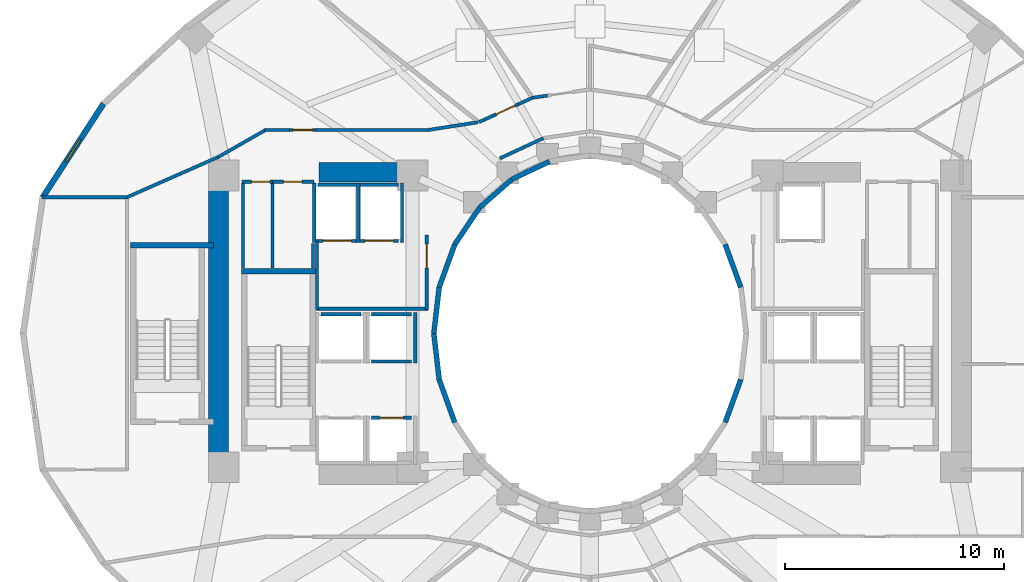
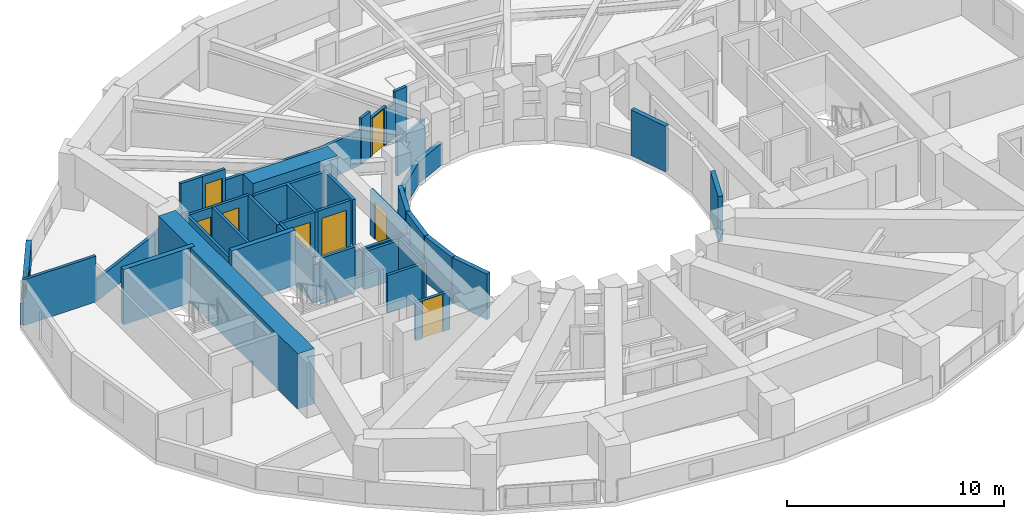
# One storey, part 10 of 16: 46 walls, 8 doors, 1 window, 9 openings.
"""IFC4 building model written with IfcOpenShell, lengths in metres."""

from ifc_helpers import new_model, si_unit, direction, frame, frame_2d, origin, place, context, subcontext, project, spatial, rectangle, extrude, material, layer, layer_set, type_object, element, fill, save


model = new_model("IFC4")

# Units and contexts
model_context = context("Model", 3, precision=1e-05, world=origin(), true_north=direction((0.0, 1.0)))
body_context = subcontext(model_context, "Body", "Model", "MODEL_VIEW")
ifc_project = project(units=[si_unit("LENGTHUNIT", "METRE"), si_unit("AREAUNIT", "SQUARE_METRE"), si_unit("VOLUMEUNIT", "CUBIC_METRE"), si_unit("PLANEANGLEUNIT", "RADIAN"), si_unit("MASSUNIT", "GRAM", prefix="KILO")], contexts=[model_context])

# Site, building, storey
site_placement = place(None, origin())
site = spatial("IfcSite", under=ifc_project, at=site_placement, CompositionType="ELEMENT")
building_placement = place(site_placement, origin())
building = spatial("IfcBuilding", under=site, at=building_placement, Name="Solvane Sanctuary Tower", CompositionType="ELEMENT")
storey_placement = place(building_placement, frame((0.0, 0.0, 33.800048828125)))
storey = spatial("IfcBuildingStorey", under=building, at=storey_placement, Name="L09", CompositionType="ELEMENT", Elevation=33.800048828125)

# Walls
ifc_material_1 = material(Name="Concrete C70/85", Category="concrete")
ifc_layer_1 = layer(ifc_material_1, 0.89990234375, Name="Concrete C70/85")
ifc_layer_set_1 = layer_set([ifc_layer_1], Name="Concrete C70/85")
wall_type_1 = type_object("IfcWallType", Name="Wall W-CORE-900", PredefinedType="SHEAR", material=ifc_layer_set_1)
wall_1_placement = place(storey_placement, frame((15.050048828125, 17.050048828125, 0.0), z_axis=(0.0, 0.0, 1.0), x_axis=(0.0, 1.0, 0.0)))
element("IfcWall", 1, at=wall_1_placement, inside=storey, type_object=wall_type_1, Name="L09 Core Shear Wall WC-W", PredefinedType="SHEAR", context=body_context, shape_type="SweptSolid", body=[
    extrude(rectangle(XDim=12.800048828125, YDim=0.89990234375, at=frame_2d((6.39990234375, 0.0))), origin(), (0.0, 0.0, 1.0), 3.099853515625),
])
wall_2_placement = place(storey_placement, frame((19.64990234375, 30.35009765625, 0.0), z_axis=(0.0, 0.0, 1.0), x_axis=(1.0, 0.0, 0.0)))
element("IfcWall", 2, at=wall_2_placement, inside=storey, type_object=wall_type_1, Name="L09 Core Shear Wall WC-N", PredefinedType="SHEAR", context=body_context, shape_type="SweptSolid", body=[
    extrude(rectangle(XDim=4.5, YDim=0.89990234375, at=frame_2d((2.25, 0.0))), origin(), (0.0, 0.0, 1.0), 3.099853515625),
])
ifc_material_2 = material(Name="Acoustic Gypsum Partition Board")
ifc_layer_2 = layer(ifc_material_2, 0.14990234375, Name="Acoustic Gypsum Partition Board")
ifc_layer_set_2 = layer_set([ifc_layer_2], Name="Acoustic Gypsum Partition Board")
wall_type_2 = type_object("IfcWallType", Name="Wall W-CORR-150", PredefinedType="PARTITIONING", material=ifc_layer_set_2)
wall_3_placement = place(storey_placement, frame((19.52001953125, 24.1201171875, 0.0), z_axis=(0.0, 0.0, 1.0), x_axis=(1.0, 0.0, 0.0)))
element("IfcWall", 3, at=wall_3_placement, inside=storey, type_object=wall_type_2, Name="L09 West Firefighting Lobby South Wall", PredefinedType="PARTITIONING", context=body_context, shape_type="SweptSolid", body=[
    extrude(rectangle(XDim=5.080078125, YDim=0.14990234375, at=frame_2d((2.5400390625, 0.0))), origin(), (0.0, 0.0, 1.0), 2.119873046875),
])
wall_4_placement = place(storey_placement, frame((19.550048828125, 24.080078125, 0.0), z_axis=(0.0, 0.0, 1.0), x_axis=(0.0, 1.0, 0.0)))
element("IfcWall", 4, at=wall_4_placement, inside=storey, type_object=wall_type_2, Name="L09 West Firefighting Lobby West Wall", PredefinedType="PARTITIONING", context=body_context, shape_type="SweptSolid", body=[
    extrude(rectangle(XDim=3.199951171875, YDim=0.14990234375, at=frame_2d((1.60009765625, 0.0))), origin(), (0.0, 0.0, 1.0), 2.574951171875),
])

# Wall, opening, door
wall_5_placement = place(storey_placement, frame((24.550048828125, 24.080078125, 0.0), z_axis=(0.0, 0.0, 1.0), x_axis=(0.0, 1.0, 0.0)))
wall_5 = element("IfcWall", 5, at=wall_5_placement, inside=storey, type_object=wall_type_2, Name="L09 West Firefighting Lobby East Wall", PredefinedType="PARTITIONING", context=body_context, shape_type="SweptSolid", body=[
    extrude(rectangle(XDim=3.39990234375, YDim=0.14990234375, at=frame_2d((1.699951171875, 0.0))), origin(), (0.0, 0.0, 1.0), 2.574951171875),
])
opening_1_placement = place(wall_5_placement, frame((1.893798828125, 0.0, 0.0)))
opening_1 = element("IfcOpeningElement", 6, at=opening_1_placement, cuts=wall_5, Name="Opening D-L09-04", PredefinedType="OPENING", context=body_context, shape_type="SweptSolid", body=[
    extrude(rectangle(XDim=1.10009765625, YDim=2.10009765625, at=frame_2d((0.550048828125, 1.050048828125))), frame((0.0, 0.0849609375, 0.0), z_axis=(0.0, -1.0, 0.0), x_axis=(1.0, 0.0, 0.0)), (0.0, 0.0, 1.0), 0.169921875),
])
ifc_material_3 = material(Name="Architectural Stainless Steel 316", Category="steel")
door_type_1 = type_object("IfcDoorType", Name="Door D-FFL", OperationType="NOTDEFINED", PredefinedType="DOOR", material=ifc_material_3)
door_1_placement = place(opening_1_placement, origin())
door_1 = element("IfcDoor", 7, at=door_1_placement, inside=storey, type_object=door_type_1, Name="L09 West Firefighting Lobby Fire Door", OperationType="SINGLE_SWING_RIGHT", OverallHeight=2.10009765625, OverallWidth=1.10009765625, PredefinedType="DOOR", context=body_context, shape_type="SweptSolid", body=[
    extrude(rectangle(XDim=1.10009765625, YDim=2.10009765625, at=frame_2d((0.550048828125, 1.050048828125))), frame((0.0, 0.02490234375, 0.0), z_axis=(0.0, -1.0, 0.0), x_axis=(1.0, 0.0, 0.0)), (0.0, 0.0, 1.0), 0.050048828125),
])
fill(opening_1, door_1)

# Walls
wall_6_placement = place(storey_placement, frame((29.87255859375, 31.90576171875, 0.0), z_axis=(0.0, 0.0, 1.0), x_axis=(-0.906943449489, -0.421252393975, 0.0)))
element("IfcWall", 8, at=wall_6_placement, inside=storey, type_object=wall_type_2, Name="L09 Light-Well Corridor Rim Wall N4", PredefinedType="PARTITIONING", context=body_context, shape_type="SweptSolid", body=[
    extrude(rectangle(XDim=2.18603515625, YDim=0.14990234375, at=frame_2d((1.093017578125, 0.0))), origin(), (0.0, 0.0, 1.0), 1.95703125),
])
wall_7_placement = place(storey_placement, frame((7.013671875, 29.211669921875, 0.0), z_axis=(0.0, 0.0, 1.0), x_axis=(1.0, 0.0, 0.0)))
element("IfcWall", 9, at=wall_7_placement, inside=storey, type_object=wall_type_2, Name="L09 West Shoulder North Wall", PredefinedType="PARTITIONING", context=body_context, shape_type="SweptSolid", body=[
    extrude(rectangle(XDim=3.8662109375, YDim=0.14990234375, at=frame_2d((1.93310546875, 0.0))), origin(), (0.0, 0.0, 1.0), 2.574951171875),
])
wall_8_placement = place(storey_placement, frame((10.843505859375, 29.195556640625, 0.0), z_axis=(0.0, 0.0, 1.0), x_axis=(0.91502756289, 0.403391322604, 0.0)))
element("IfcWall", 10, at=wall_8_placement, inside=storey, type_object=wall_type_2, Name="L09 NW Corner Closer 1", PredefinedType="PARTITIONING", context=body_context, shape_type="SweptSolid", body=[
    extrude(rectangle(XDim=4.63720703125, YDim=0.14990234375, at=frame_2d((2.318603515625, 0.0))), origin(), (0.0, 0.0, 1.0), 1.219970703125),
])
wall_9_placement = place(storey_placement, frame((26.880615234375, 32.630615234375, 0.0), z_axis=(0.0, 0.0, 1.0), x_axis=(-0.988184633586, -0.153268163508, 0.0)))
element("IfcWall", 11, at=wall_9_placement, inside=storey, type_object=wall_type_2, Name="L09 NW Corner Throat Wall", PredefinedType="PARTITIONING", context=body_context, shape_type="SweptSolid", body=[
    extrude(rectangle(XDim=2.317626953125, YDim=0.14990234375, at=frame_2d((1.15869140625, 0.0))), origin(), (0.0, 0.0, 1.0), 1.95703125),
])
wall_10_placement = place(storey_placement, frame((17.14990234375, 32.280029296875, 0.0), z_axis=(0.0, 0.0, 1.0), x_axis=(1.0, 0.0, 0.0)))
element("IfcWall", 12, at=wall_10_placement, inside=storey, type_object=wall_type_2, Name="L09 NW Corner Corridor Wall", PredefinedType="PARTITIONING", context=body_context, shape_type="SweptSolid", body=[
    extrude(rectangle(XDim=1.14013671875, YDim=0.14990234375, at=frame_2d((0.570068359375, 0.0))), origin(), (0.0, 0.0, 1.0), 2.574951171875),
])

# Wall, opening, door
wall_11_placement = place(storey_placement, frame((18.2900390625, 32.280029296875, 0.0), z_axis=(0.0, 0.0, 1.0), x_axis=(1.0, 0.0, 0.0)))
wall_11 = element("IfcWall", 13, at=wall_11_placement, inside=storey, type_object=wall_type_2, Name="L09 NW Corner Corridor Wall", PredefinedType="PARTITIONING", context=body_context, shape_type="SweptSolid", body=[
    extrude(rectangle(XDim=1.219970703125, YDim=0.14990234375, at=frame_2d((0.60986328125, 0.0))), origin(), (0.0, 0.0, 1.0), 2.574951171875),
])
opening_2_placement = place(wall_11_placement, frame((0.159912109375, 0.0, 0.0)))
opening_2 = element("IfcOpeningElement", 14, at=opening_2_placement, cuts=wall_11, Name="Opening D-L09-15", PredefinedType="OPENING", context=body_context, shape_type="SweptSolid", body=[
    extrude(rectangle(XDim=0.89990234375, YDim=2.10009765625, at=frame_2d((0.449951171875, 1.050048828125))), frame((0.0, 0.0849609375, 0.0), z_axis=(0.0, -1.0, 0.0), x_axis=(1.0, 0.0, 0.0)), (0.0, 0.0, 1.0), 0.169921875),
])
ifc_material_4 = material(Name="Engineered Tropical Hardwood", Category="wood")
door_type_2 = type_object("IfcDoorType", Name="Door D-WET-900", OperationType="NOTDEFINED", PredefinedType="DOOR", material=ifc_material_4)
door_2_placement = place(opening_2_placement, origin())
door_2 = element("IfcDoor", 15, at=door_2_placement, inside=storey, type_object=door_type_2, Name="L09 NW Corner Salon Door", OperationType="SINGLE_SWING_LEFT", OverallHeight=2.10009765625, OverallWidth=0.89990234375, PredefinedType="DOOR", context=body_context, shape_type="SweptSolid", body=[
    extrude(rectangle(XDim=0.89990234375, YDim=2.10009765625, at=frame_2d((0.449951171875, 1.050048828125))), frame((0.0, 0.02490234375, 0.0), z_axis=(0.0, -1.0, 0.0), x_axis=(1.0, 0.0, 0.0)), (0.0, 0.0, 1.0), 0.050048828125),
])
fill(opening_2, door_2)

# Walls
wall_12_placement = place(storey_placement, frame((19.510009765625, 32.280029296875, 0.0), z_axis=(0.0, 0.0, 1.0), x_axis=(1.0, 0.0, 0.0)))
element("IfcWall", 16, at=wall_12_placement, inside=storey, type_object=wall_type_2, Name="L09 NW Corner Corridor Wall", PredefinedType="PARTITIONING", context=body_context, shape_type="SweptSolid", body=[
    extrude(rectangle(XDim=5.159912109375, YDim=0.14990234375, at=frame_2d((2.580078125, 0.0))), origin(), (0.0, 0.0, 1.0), 1.95703125),
])
wall_13_placement = place(storey_placement, frame((17.243408203125, 32.3046875, 0.0), z_axis=(0.0, 0.0, 1.0), x_axis=(-0.867991349648, -0.496579315857, 0.0)))
element("IfcWall", 17, at=wall_13_placement, inside=storey, type_object=wall_type_2, Name="L09 NW Corner Wing Wall", PredefinedType="PARTITIONING", context=body_context, shape_type="SweptSolid", body=[
    extrude(rectangle(XDim=2.56689453125, YDim=0.14990234375, at=frame_2d((1.283447265625, 0.0))), origin(), (0.0, 0.0, 1.0), 1.219970703125),
])
wall_14_placement = place(storey_placement, frame((30.060791015625, 33.848388671875, 0.0), z_axis=(0.0, 0.0, 1.0), x_axis=(-0.989723948494, -0.142991278678, 0.0)))
element("IfcWall", 18, at=wall_14_placement, inside=storey, type_object=wall_type_2, Name="L09 Unit Corridor Wall N2", PredefinedType="PARTITIONING", context=body_context, shape_type="SweptSolid", body=[
    extrude(rectangle(XDim=0.696533203125, YDim=0.14990234375, at=frame_2d((0.34814453125, 0.0))), origin(), (0.0, 0.0, 1.0), 2.574951171875),
])
wall_15_placement = place(storey_placement, frame((29.385009765625, 33.752685546875, 0.0), z_axis=(0.0, 0.0, 1.0), x_axis=(-0.910167389119, -0.414240659261, 0.0)))
element("IfcWall", 19, at=wall_15_placement, inside=storey, type_object=wall_type_2, Name="L09 Unit Corridor Wall N3", PredefinedType="PARTITIONING", context=body_context, shape_type="SweptSolid", body=[
    extrude(rectangle(XDim=0.71435546875, YDim=0.14990234375, at=frame_2d((0.357177734375, 0.0))), origin(), (0.0, 0.0, 1.0), 1.95703125),
])

# Wall, opening, door
wall_16_placement = place(storey_placement, frame((28.73486328125, 33.456787109375, 0.0), z_axis=(0.0, 0.0, 1.0), x_axis=(-0.910241350267, -0.414078113722, 0.0)))
wall_16 = element("IfcWall", 20, at=wall_16_placement, inside=storey, type_object=wall_type_2, Name="L09 Unit Corridor Wall N3", PredefinedType="PARTITIONING", context=body_context, shape_type="SweptSolid", body=[
    extrude(rectangle(XDim=1.27001953125, YDim=0.14990234375, at=frame_2d((0.635009765625, 0.0))), origin(), (0.0, 0.0, 1.0), 2.159912109375),
])
opening_3_placement = place(wall_16_placement, frame((0.159912109375, 0.0, 0.0)))
opening_3 = element("IfcOpeningElement", 21, at=opening_3_placement, cuts=wall_16, Name="Opening D-L09-22", PredefinedType="OPENING", context=body_context, shape_type="SweptSolid", body=[
    extrude(rectangle(XDim=0.949951171875, YDim=2.10009765625, at=frame_2d((0.47509765625, 1.050048828125))), frame((0.0, 0.0849609375, 0.0), z_axis=(0.0, -1.0, 0.0), x_axis=(1.0, 0.0, 0.0)), (0.0, 0.0, 1.0), 0.169921875),
])
door_type_3 = type_object("IfcDoorType", Name="Door D-ROOM-950", OperationType="NOTDEFINED", PredefinedType="DOOR", material=ifc_material_4)
door_3_placement = place(opening_3_placement, origin())
door_3 = element("IfcDoor", 22, at=door_3_placement, inside=storey, type_object=door_type_3, Name="L09 Unit Entrance Door N3", OperationType="SINGLE_SWING_RIGHT", OverallHeight=2.10009765625, OverallWidth=0.949951171875, PredefinedType="DOOR", context=body_context, shape_type="SweptSolid", body=[
    extrude(rectangle(XDim=0.949951171875, YDim=2.10009765625, at=frame_2d((0.47509765625, 1.050048828125))), frame((0.0, 0.02490234375, 0.0), z_axis=(0.0, -1.0, 0.0), x_axis=(1.0, 0.0, 0.0)), (0.0, 0.0, 1.0), 0.050048828125),
])
fill(opening_3, door_3)

# Wall
wall_17_placement = place(storey_placement, frame((27.578857421875, 32.930908203125, 0.0), z_axis=(0.0, 0.0, 1.0), x_axis=(-0.910108713425, -0.414369556976, 0.0)))
element("IfcWall", 23, at=wall_17_placement, inside=storey, type_object=wall_type_2, Name="L09 Unit Corridor Wall N3", PredefinedType="PARTITIONING", context=body_context, shape_type="SweptSolid", body=[
    extrude(rectangle(XDim=0.714111328125, YDim=0.14990234375, at=frame_2d((0.35693359375, 0.0))), origin(), (0.0, 0.0, 1.0), 2.574951171875),
])

# Wall, opening, window
ifc_material_5 = material(Name="Precast concrete C40/50", Category="concrete")
ifc_layer_3 = layer(ifc_material_5, 0.260009765625, Name="Precast concrete C40/50")
ifc_layer_set_3 = layer_set([ifc_layer_3], Name="Precast concrete C40/50")
wall_type_3 = type_object("IfcWallType", Name="Wall W-EXT-250", PredefinedType="STANDARD", material=ifc_layer_set_3)
wall_18_placement = place(storey_placement, frame((9.80615234375, 33.4755859375, 0.0), z_axis=(0.0, 0.0, 1.0), x_axis=(-0.544578722263, -0.838709732421, 0.0)))
wall_18 = element("IfcWall", 24, at=wall_18_placement, inside=storey, type_object=wall_type_3, Name="L09 Ceramic-Printed Facade Wall 10", PredefinedType="STANDARD", context=body_context, shape_type="SweptSolid", body=[
    extrude(rectangle(XDim=5.091552734375, YDim=0.260009765625, at=frame_2d((2.5458984375, 0.0))), origin(), (0.0, 0.0, 1.0), 1.219970703125),
])
opening_4_placement = place(wall_18_placement, frame((1.94580078125, 0.0, 0.14990234375)))
opening_4 = element("IfcOpeningElement", 25, at=opening_4_placement, cuts=wall_18, Name="Opening WN-OPER-1200", PredefinedType="OPENING", context=body_context, shape_type="SweptSolid", body=[
    extrude(rectangle(XDim=1.199951171875, YDim=0.89990234375, at=frame_2d((0.60009765625, 0.449951171875))), frame((0.0, 0.139892578125, 0.0), z_axis=(0.0, -1.0, 0.0), x_axis=(1.0, 0.0, 0.0)), (0.0, 0.0, 1.0), 0.280029296875),
])
ifc_material_6 = material(Name="Dark Ceramic-Fritted Low-E Glass", Category="glass")
window_type = type_object("IfcWindowType", Name="Window WN-OPER-1200", PartitioningType="SINGLE_PANEL", PredefinedType="WINDOW", material=ifc_material_6)
window_placement = place(opening_4_placement, origin())
window = element("IfcWindow", 26, at=window_placement, inside=storey, type_object=window_type, Name="L09 Operable Facade Window 10", OverallHeight=0.89990234375, OverallWidth=1.199951171875, PartitioningType="SINGLE_PANEL", PredefinedType="WINDOW", context=body_context, shape_type="SweptSolid", body=[
    extrude(rectangle(XDim=1.199951171875, YDim=0.89990234375, at=frame_2d((0.60009765625, 0.449951171875))), frame((0.0, 0.030029296875, 0.0), z_axis=(0.0, -1.0, 0.0), x_axis=(1.0, 0.0, 0.0)), (0.0, 0.0, 1.0), 0.06005859375),
])
fill(opening_4, window)

# Walls
ifc_layer_4 = layer(ifc_material_5, 0.22998046875, Name="Precast concrete C40/50")
ifc_layer_set_4 = layer_set([ifc_layer_4], Name="Precast concrete C40/50")
wall_type_4 = type_object("IfcWallType", Name="Wall W-EXT-SP220", PredefinedType="STANDARD", material=ifc_layer_set_4)
wall_19_placement = place(storey_placement, frame((38.87744140625, 25.1015625, 0.0), z_axis=(0.0, 0.0, 1.0), x_axis=(-0.341423187295, 0.93990968033, 0.0)))
element("IfcWall", 27, at=wall_19_placement, inside=storey, type_object=wall_type_4, Name="L09 Central Light-Well Wall 01", PredefinedType="STANDARD", context=body_context, shape_type="SweptSolid", body=[
    extrude(rectangle(XDim=2.083740234375, YDim=0.22998046875, at=frame_2d((1.0419921875, 0.0))), origin(), (0.0, 0.0, 1.0), 2.56005859375),
])
wall_20_placement = place(storey_placement, frame((30.1572265625, 30.84326171875, 0.0), z_axis=(0.0, 0.0, 1.0), x_axis=(-0.904179699603, -0.427152280606, 0.0)))
element("IfcWall", 28, at=wall_20_placement, inside=storey, type_object=wall_type_4, Name="L09 Central Light-Well Wall 07", PredefinedType="STANDARD", context=body_context, shape_type="SweptSolid", body=[
    extrude(rectangle(XDim=1.899169921875, YDim=0.22998046875, at=frame_2d((0.94970703125, 0.0))), origin(), (0.0, 0.0, 1.0), 1.219970703125),
])
wall_21_placement = place(storey_placement, frame((28.43994140625, 30.031982421875, 0.0), z_axis=(0.0, 0.0, 1.0), x_axis=(-0.752576694707, -0.658504607869, 0.0)))
element("IfcWall", 29, at=wall_21_placement, inside=storey, type_object=wall_type_4, Name="L09 Central Light-Well Wall 08", PredefinedType="STANDARD", context=body_context, shape_type="SweptSolid", body=[
    extrude(rectangle(XDim=1.95947265625, YDim=0.22998046875, at=frame_2d((0.979736328125, 0.0))), origin(), (0.0, 0.0, 1.0), 1.219970703125),
])
wall_22_placement = place(storey_placement, frame((26.96533203125, 28.74169921875, 0.0), z_axis=(0.0, 0.0, 1.0), x_axis=(-0.558197800898, -0.829707909492, 0.0)))
element("IfcWall", 30, at=wall_22_placement, inside=storey, type_object=wall_type_4, Name="L09 Central Light-Well Wall 09", PredefinedType="STANDARD", context=body_context, shape_type="SweptSolid", body=[
    extrude(rectangle(XDim=2.02685546875, YDim=0.22998046875, at=frame_2d((1.013427734375, 0.0))), origin(), (0.0, 0.0, 1.0), 1.219970703125),
])
wall_23_placement = place(storey_placement, frame((25.833984375, 27.06005859375, 0.0), z_axis=(0.0, 0.0, 1.0), x_axis=(-0.341423187295, -0.93990968033, 0.0)))
element("IfcWall", 31, at=wall_23_placement, inside=storey, type_object=wall_type_4, Name="L09 Central Light-Well Wall 10", PredefinedType="STANDARD", context=body_context, shape_type="SweptSolid", body=[
    extrude(rectangle(XDim=2.083740234375, YDim=0.22998046875, at=frame_2d((1.0419921875, 0.0))), origin(), (0.0, 0.0, 1.0), 2.56005859375),
])
for number, where, z_axis, x_axis, name in (
    (32, (25.12255859375, 25.1015625, 0.0), (0.0, 0.0, 1.0), (-0.114711713601, -0.993398823617, 0.0), "L09 Central Light-Well Wall 11"),
    (33, (24.8798828125, 23.0, 0.0), (0.0, 0.0, 1.0), (0.114711713601, -0.993398823617, 0.0), "L09 Central Light-Well Wall 12"),
):
    element("IfcWall", number, at=place(storey_placement, frame(where, z_axis=z_axis, x_axis=x_axis)), inside=storey, type_object=wall_type_4, Name=name, PredefinedType="STANDARD", context=body_context, shape_type="SweptSolid", body=[
        extrude(rectangle(XDim=2.115478515625, YDim=0.22998046875, at=frame_2d((1.0576171875, 0.0))), origin(), (0.0, 0.0, 1.0), 2.56005859375),
    ])
for number, where, z_axis, x_axis, name in (
    (34, (25.12255859375, 20.8984375, 0.0), (0.0, 0.0, 1.0), (0.341423187295, -0.93990968033, 0.0), "L09 Central Light-Well Wall 13"),
    (35, (38.166015625, 18.93994140625, 0.0), (0.0, 0.0, 1.0), (0.341423187295, 0.93990968033, 0.0), "L09 Central Light-Well Wall 22"),
):
    element("IfcWall", number, at=place(storey_placement, frame(where, z_axis=z_axis, x_axis=x_axis)), inside=storey, type_object=wall_type_4, Name=name, PredefinedType="STANDARD", context=body_context, shape_type="SweptSolid", body=[
        extrude(rectangle(XDim=2.083740234375, YDim=0.22998046875, at=frame_2d((1.0419921875, 0.0))), origin(), (0.0, 0.0, 1.0), 2.56005859375),
    ])

# Wall, opening, door
ifc_material_7 = material(Name="Concrete C50/60", Category="concrete")
ifc_layer_5 = layer(ifc_material_7, 0.14990234375, Name="Concrete C50/60")
ifc_layer_set_5 = layer_set([ifc_layer_5], Name="Concrete C50/60")
wall_type_5 = type_object("IfcWallType", Name="Wall W-SHAFT-150", PredefinedType="SOLIDWALL", material=ifc_layer_set_5)
wall_24_placement = place(storey_placement, frame((22.0400390625, 19.159912109375, 0.0), z_axis=(0.0, 0.0, 1.0), x_axis=(1.0, 0.0, 0.0)))
wall_24 = element("IfcWall", 36, at=wall_24_placement, inside=storey, type_object=wall_type_5, Name="L09 PL-2 Lift Shaft Wall F", PredefinedType="SOLIDWALL", context=body_context, shape_type="SweptSolid", body=[
    extrude(rectangle(XDim=1.820068359375, YDim=0.14990234375, at=frame_2d((0.91015625, 0.0))), origin(), (0.0, 0.0, 1.0), 2.119873046875),
])
opening_5_placement = place(wall_24_placement, frame((0.360107421875, 0.0, 0.0)))
opening_5 = element("IfcOpeningElement", 37, at=opening_5_placement, cuts=wall_24, Name="Opening LD-L09-02", PredefinedType="OPENING", context=body_context, shape_type="SweptSolid", body=[
    extrude(rectangle(XDim=1.10009765625, YDim=2.10009765625, at=frame_2d((0.550048828125, 1.050048828125))), frame((0.0, 0.0849609375, 0.0), z_axis=(0.0, -1.0, 0.0), x_axis=(1.0, 0.0, 0.0)), (0.0, 0.0, 1.0), 0.169921875),
])
door_type_4 = type_object("IfcDoorType", Name="Door LD-PASS-1100", OperationType="NOTDEFINED", PredefinedType="DOOR", material=ifc_material_3)
door_4_placement = place(opening_5_placement, origin())
door_4 = element("IfcDoor", 38, at=door_4_placement, inside=storey, type_object=door_type_4, Name="L09 PL-2 Lift Landing Door", OperationType="DOUBLE_DOOR_SLIDING", OverallHeight=2.10009765625, OverallWidth=1.10009765625, PredefinedType="DOOR", context=body_context, shape_type="SweptSolid", body=[
    extrude(rectangle(XDim=1.10009765625, YDim=2.10009765625, at=frame_2d((0.550048828125, 1.050048828125))), frame((0.0, 0.02490234375, 0.0), z_axis=(0.0, -1.0, 0.0), x_axis=(1.0, 0.0, 0.0)), (0.0, 0.0, 1.0), 0.050048828125),
])
fill(opening_5, door_4)

# Walls
wall_25_placement = place(storey_placement, frame((19.739990234375, 23.8798828125, 0.0), z_axis=(0.0, 0.0, 1.0), x_axis=(1.0, 0.0, 0.0)))
element("IfcWall", 39, at=wall_25_placement, inside=storey, type_object=wall_type_5, Name="L09 PM-1 Lift Shaft Wall B", PredefinedType="SOLIDWALL", context=body_context, shape_type="SweptSolid", body=[
    extrude(rectangle(XDim=1.820068359375, YDim=0.14990234375, at=frame_2d((0.91015625, 0.0))), origin(), (0.0, 0.0, 1.0), 2.574951171875),
])
for number, where, z_axis, x_axis, name in (
    (40, (22.0400390625, 21.719970703125, 0.0), (0.0, 0.0, 1.0), (1.0, 0.0, 0.0), "L09 PH-1 Lift Shaft Wall F"),
    (41, (22.0400390625, 23.8798828125, 0.0), (0.0, 0.0, 1.0), (1.0, 0.0, 0.0), "L09 PH-1 Lift Shaft Wall B"),
):
    element("IfcWall", number, at=place(storey_placement, frame(where, z_axis=z_axis, x_axis=x_axis)), inside=storey, type_object=wall_type_5, Name=name, PredefinedType="SOLIDWALL", context=body_context, shape_type="SweptSolid", body=[
        extrude(rectangle(XDim=1.820068359375, YDim=0.14990234375, at=frame_2d((0.91015625, 0.0))), origin(), (0.0, 0.0, 1.0), 2.119873046875),
    ])
wall_26_placement = place(storey_placement, frame((24.030029296875, 21.639892578125, 0.0), z_axis=(0.0, 0.0, 1.0), x_axis=(0.0, 1.0, 0.0)))
element("IfcWall", 42, at=wall_26_placement, inside=storey, type_object=wall_type_5, Name="L09 PH-1 Lift Shaft Wall S2", PredefinedType="SOLIDWALL", context=body_context, shape_type="SweptSolid", body=[
    extrude(rectangle(XDim=2.320068359375, YDim=0.14990234375, at=frame_2d((1.16015625, 0.0))), origin(), (0.0, 0.0, 1.0), 2.119873046875),
])

# Wall, opening, door
wall_27_placement = place(storey_placement, frame((19.590087890625, 27.219970703125, 0.0), z_axis=(0.0, 0.0, 1.0), x_axis=(1.0, 0.0, 0.0)))
wall_27 = element("IfcWall", 43, at=wall_27_placement, inside=storey, type_object=wall_type_5, Name="L09 FFL-1 Lift Shaft Wall F", PredefinedType="SOLIDWALL", context=body_context, shape_type="SweptSolid", body=[
    extrude(rectangle(XDim=1.760009765625, YDim=0.14990234375, at=frame_2d((0.8798828125, 0.0))), origin(), (0.0, 0.0, 1.0), 2.574951171875),
])
opening_6_placement = place(wall_27_placement, frame((0.22998046875, 0.0, 0.0)))
opening_6 = element("IfcOpeningElement", 44, at=opening_6_placement, cuts=wall_27, Name="Opening LD-L09-05", PredefinedType="OPENING", context=body_context, shape_type="SweptSolid", body=[
    extrude(rectangle(XDim=1.300048828125, YDim=2.10009765625, at=frame_2d((0.64990234375, 1.050048828125))), frame((0.0, 0.0849609375, 0.0), z_axis=(0.0, -1.0, 0.0), x_axis=(1.0, 0.0, 0.0)), (0.0, 0.0, 1.0), 0.169921875),
])
door_type_5 = type_object("IfcDoorType", Name="Door LD-FFL-1300", OperationType="NOTDEFINED", PredefinedType="DOOR", material=ifc_material_3)
door_5_placement = place(opening_6_placement, origin())
door_5 = element("IfcDoor", 45, at=door_5_placement, inside=storey, type_object=door_type_5, Name="L09 FFL-1 Lift Landing Door", OperationType="DOUBLE_DOOR_SLIDING", OverallHeight=2.10009765625, OverallWidth=1.300048828125, PredefinedType="DOOR", context=body_context, shape_type="SweptSolid", body=[
    extrude(rectangle(XDim=1.300048828125, YDim=2.10009765625, at=frame_2d((0.64990234375, 1.050048828125))), frame((0.0, 0.02490234375, 0.0), z_axis=(0.0, -1.0, 0.0), x_axis=(1.0, 0.0, 0.0)), (0.0, 0.0, 1.0), 0.050048828125),
])
fill(opening_6, door_5)

# Walls
wall_28_placement = place(storey_placement, frame((19.590087890625, 29.780029296875, 0.0), z_axis=(0.0, 0.0, 1.0), x_axis=(1.0, 0.0, 0.0)))
element("IfcWall", 46, at=wall_28_placement, inside=storey, type_object=wall_type_5, Name="L09 FFL-1 Lift Shaft Wall B", PredefinedType="SOLIDWALL", context=body_context, shape_type="SweptSolid", body=[
    extrude(rectangle(XDim=1.760009765625, YDim=0.14990234375, at=frame_2d((0.8798828125, 0.0))), origin(), (0.0, 0.0, 1.0), 2.574951171875),
])
for number, where, z_axis, x_axis, name in (
    (47, (19.419921875, 27.139892578125, 0.0), (0.0, 0.0, 1.0), (0.0, 1.0, 0.0), "L09 FFL-1 Lift Shaft Wall S1"),
    (48, (21.425048828125, 27.139892578125, 0.0), (0.0, 0.0, 1.0), (0.0, 1.0, 0.0), "L09 FFL-1 Lift Shaft Wall S2"),
):
    element("IfcWall", number, at=place(storey_placement, frame(where, z_axis=z_axis, x_axis=x_axis)), inside=storey, type_object=wall_type_5, Name=name, PredefinedType="SOLIDWALL", context=body_context, shape_type="SweptSolid", body=[
        extrude(rectangle(XDim=2.72021484375, YDim=0.14990234375, at=frame_2d((1.360107421875, 0.0))), origin(), (0.0, 0.0, 1.0), 2.574951171875),
    ])

# Wall, opening, door
wall_29_placement = place(storey_placement, frame((21.5, 27.219970703125, 0.0), z_axis=(0.0, 0.0, 1.0), x_axis=(1.0, 0.0, 0.0)))
wall_29 = element("IfcWall", 49, at=wall_29_placement, inside=storey, type_object=wall_type_5, Name="L09 SVL-1 Lift Shaft Wall F", PredefinedType="SOLIDWALL", context=body_context, shape_type="SweptSolid", body=[
    extrude(rectangle(XDim=1.760009765625, YDim=0.14990234375, at=frame_2d((0.8798828125, 0.0))), origin(), (0.0, 0.0, 1.0), 2.574951171875),
])
opening_7_placement = place(wall_29_placement, frame((0.22998046875, 0.0, 0.0)))
opening_7 = element("IfcOpeningElement", 50, at=opening_7_placement, cuts=wall_29, Name="Opening LD-L09-06", PredefinedType="OPENING", context=body_context, shape_type="SweptSolid", body=[
    extrude(rectangle(XDim=1.300048828125, YDim=2.10009765625, at=frame_2d((0.64990234375, 1.050048828125))), frame((0.0, 0.0849609375, 0.0), z_axis=(0.0, -1.0, 0.0), x_axis=(1.0, 0.0, 0.0)), (0.0, 0.0, 1.0), 0.169921875),
])
door_6_placement = place(opening_7_placement, origin())
door_6 = element("IfcDoor", 51, at=door_6_placement, inside=storey, type_object=door_type_5, Name="L09 SVL-1 Lift Landing Door", OperationType="DOUBLE_DOOR_SLIDING", OverallHeight=2.10009765625, OverallWidth=1.300048828125, PredefinedType="DOOR", context=body_context, shape_type="SweptSolid", body=[
    extrude(rectangle(XDim=1.300048828125, YDim=2.10009765625, at=frame_2d((0.64990234375, 1.050048828125))), frame((0.0, 0.02490234375, 0.0), z_axis=(0.0, -1.0, 0.0), x_axis=(1.0, 0.0, 0.0)), (0.0, 0.0, 1.0), 0.050048828125),
])
fill(opening_7, door_6)

# Walls
wall_30_placement = place(storey_placement, frame((21.5, 29.780029296875, 0.0), z_axis=(0.0, 0.0, 1.0), x_axis=(1.0, 0.0, 0.0)))
element("IfcWall", 52, at=wall_30_placement, inside=storey, type_object=wall_type_5, Name="L09 SVL-1 Lift Shaft Wall B", PredefinedType="SOLIDWALL", context=body_context, shape_type="SweptSolid", body=[
    extrude(rectangle(XDim=1.760009765625, YDim=0.14990234375, at=frame_2d((0.8798828125, 0.0))), origin(), (0.0, 0.0, 1.0), 2.574951171875),
])
wall_31_placement = place(storey_placement, frame((23.429931640625, 27.139892578125, 0.0), z_axis=(0.0, 0.0, 1.0), x_axis=(0.0, 1.0, 0.0)))
element("IfcWall", 53, at=wall_31_placement, inside=storey, type_object=wall_type_5, Name="L09 SVL-1 Lift Shaft Wall S2", PredefinedType="SOLIDWALL", context=body_context, shape_type="SweptSolid", body=[
    extrude(rectangle(XDim=2.72021484375, YDim=0.14990234375, at=frame_2d((1.360107421875, 0.0))), origin(), (0.0, 0.0, 1.0), 2.574951171875),
])
ifc_layer_6 = layer(ifc_material_7, 0.25, Name="Concrete C50/60")
ifc_layer_set_6 = layer_set([ifc_layer_6], Name="Concrete C50/60")
wall_type_6 = type_object("IfcWallType", Name="Wall W-SHAFT-250", PredefinedType="SOLIDWALL", material=ifc_layer_set_6)
wall_32_placement = place(storey_placement, frame((16.10498046875, 25.830078125, 0.0), z_axis=(0.0, 0.0, 1.0), x_axis=(1.0, 0.0, 0.0)))
element("IfcWall", 54, at=wall_32_placement, inside=storey, type_object=wall_type_6, Name="L09 ST-1 Load-Bearing Shaft Wall N", PredefinedType="SOLIDWALL", context=body_context, shape_type="SweptSolid", body=[
    extrude(rectangle(XDim=3.3701171875, YDim=0.25, at=frame_2d((1.68505859375, 0.0))), origin(), (0.0, 0.0, 1.0), 3.099853515625),
])
wall_33_placement = place(storey_placement, frame((11.044921875, 27.030029296875, 0.0), z_axis=(0.0, 0.0, 1.0), x_axis=(1.0, 0.0, 0.0)))
element("IfcWall", 55, at=wall_33_placement, inside=storey, type_object=wall_type_6, Name="L09 ST-3 Load-Bearing Shaft Wall N", PredefinedType="SOLIDWALL", context=body_context, shape_type="SweptSolid", body=[
    extrude(rectangle(XDim=3.781982421875, YDim=0.25, at=frame_2d((1.89111328125, 0.0))), origin(), (0.0, 0.0, 1.0), 3.099853515625),
])

# Wall, opening, door
ifc_layer_7 = layer(ifc_material_2, 0.139892578125, Name="Acoustic Gypsum Partition Board")
ifc_layer_set_7 = layer_set([ifc_layer_7], Name="Acoustic Gypsum Partition Board")
wall_type_7 = type_object("IfcWallType", Name="Wall W-WET-140", PredefinedType="PLUMBINGWALL", material=ifc_layer_set_7)
wall_34_placement = place(storey_placement, frame((16.1201171875, 29.919921875, 0.0), z_axis=(0.0, 0.0, 1.0), x_axis=(1.0, 0.0, 0.0)))
wall_34 = element("IfcWall", 56, at=wall_34_placement, inside=storey, type_object=wall_type_7, Name="L09 Core Service Front Wall KW1", PredefinedType="PLUMBINGWALL", context=body_context, shape_type="SweptSolid", body=[
    extrude(rectangle(XDim=1.39990234375, YDim=0.139892578125, at=frame_2d((0.699951171875, 0.0))), origin(), (0.0, 0.0, 1.0), 2.574951171875),
])
opening_8_placement = place(wall_34_placement, frame((0.429931640625, 0.0, 0.0)))
opening_8 = element("IfcOpeningElement", 57, at=opening_8_placement, cuts=wall_34, Name="Opening D-L09-06", PredefinedType="OPENING", context=body_context, shape_type="SweptSolid", body=[
    extrude(rectangle(XDim=0.85009765625, YDim=2.050048828125, at=frame_2d((0.425048828125, 1.02490234375))), frame((0.0, 0.079833984375, 0.0), z_axis=(0.0, -1.0, 0.0), x_axis=(1.0, 0.0, 0.0)), (0.0, 0.0, 1.0), 0.159912109375),
])
door_type_6 = type_object("IfcDoorType", Name="Door D-RISER", OperationType="NOTDEFINED", PredefinedType="DOOR", material=ifc_material_3)
door_7_placement = place(opening_8_placement, origin())
door_7 = element("IfcDoor", 58, at=door_7_placement, inside=storey, type_object=door_type_6, Name="L09 Core Service Room Door KW1-1", OperationType="SINGLE_SWING_RIGHT", OverallHeight=2.050048828125, OverallWidth=0.85009765625, PredefinedType="DOOR", context=body_context, shape_type="SweptSolid", body=[
    extrude(rectangle(XDim=0.85009765625, YDim=2.050048828125, at=frame_2d((0.425048828125, 1.02490234375))), frame((0.0, 0.02490234375, 0.0), z_axis=(0.0, -1.0, 0.0), x_axis=(1.0, 0.0, 0.0)), (0.0, 0.0, 1.0), 0.050048828125),
])
fill(opening_8, door_7)

# Walls
for number, where, z_axis, x_axis, name in (
    (59, (16.179931640625, 25.97998046875, 0.0), (0.0, 0.0, 1.0), (0.0, 1.0, 0.0), "L09 Core Service Side Wall KW1-1"),
    (60, (17.52001953125, 25.97998046875, 0.0), (0.0, 0.0, 1.0), (0.0, 1.0, 0.0), "L09 Core Service Side Wall KW1-2"),
):
    element("IfcWall", number, at=place(storey_placement, frame(where, z_axis=z_axis, x_axis=x_axis)), inside=storey, type_object=wall_type_7, Name=name, PredefinedType="PLUMBINGWALL", context=body_context, shape_type="SweptSolid", body=[
        extrude(rectangle(XDim=3.880126953125, YDim=0.139892578125, at=frame_2d((1.93994140625, 0.0))), origin(), (0.0, 0.0, 1.0), 2.574951171875),
    ])

# Wall, opening, door
wall_35_placement = place(storey_placement, frame((17.52001953125, 29.919921875, 0.0), z_axis=(0.0, 0.0, 1.0), x_axis=(1.0, 0.0, 0.0)))
wall_35 = element("IfcWall", 61, at=wall_35_placement, inside=storey, type_object=wall_type_7, Name="L09 Core Service Front Wall KW2", PredefinedType="PLUMBINGWALL", context=body_context, shape_type="SweptSolid", body=[
    extrude(rectangle(XDim=1.89990234375, YDim=0.139892578125, at=frame_2d((0.949951171875, 0.0))), origin(), (0.0, 0.0, 1.0), 2.574951171875),
])
opening_9_placement = place(wall_35_placement, frame((0.5, 0.0, 0.0)))
opening_9 = element("IfcOpeningElement", 62, at=opening_9_placement, cuts=wall_35, Name="Opening D-L09-07", PredefinedType="OPENING", context=body_context, shape_type="SweptSolid", body=[
    extrude(rectangle(XDim=0.85009765625, YDim=2.050048828125, at=frame_2d((0.425048828125, 1.02490234375))), frame((0.0, 0.079833984375, 0.0), z_axis=(0.0, -1.0, 0.0), x_axis=(1.0, 0.0, 0.0)), (0.0, 0.0, 1.0), 0.159912109375),
])
door_8_placement = place(opening_9_placement, origin())
door_8 = element("IfcDoor", 63, at=door_8_placement, inside=storey, type_object=door_type_6, Name="L09 Core Service Room Door KW2-1", OperationType="SINGLE_SWING_LEFT", OverallHeight=2.050048828125, OverallWidth=0.85009765625, PredefinedType="DOOR", context=body_context, shape_type="SweptSolid", body=[
    extrude(rectangle(XDim=0.85009765625, YDim=2.050048828125, at=frame_2d((0.425048828125, 1.02490234375))), frame((0.0, 0.02490234375, 0.0), z_axis=(0.0, -1.0, 0.0), x_axis=(1.0, 0.0, 0.0)), (0.0, 0.0, 1.0), 0.050048828125),
])
fill(opening_9, door_8)

# Wall
wall_36_placement = place(storey_placement, frame((19.360107421875, 25.97998046875, 0.0), z_axis=(0.0, 0.0, 1.0), x_axis=(0.0, 1.0, 0.0)))
element("IfcWall", 64, at=wall_36_placement, inside=storey, type_object=wall_type_7, Name="L09 Core Service Side Wall KW2-1", PredefinedType="PLUMBINGWALL", context=body_context, shape_type="SweptSolid", body=[
    extrude(rectangle(XDim=1.1201171875, YDim=0.139892578125, at=frame_2d((0.56005859375, 0.0))), origin(), (0.0, 0.0, 1.0), 2.574951171875),
])

save(model, "model.ifc")
